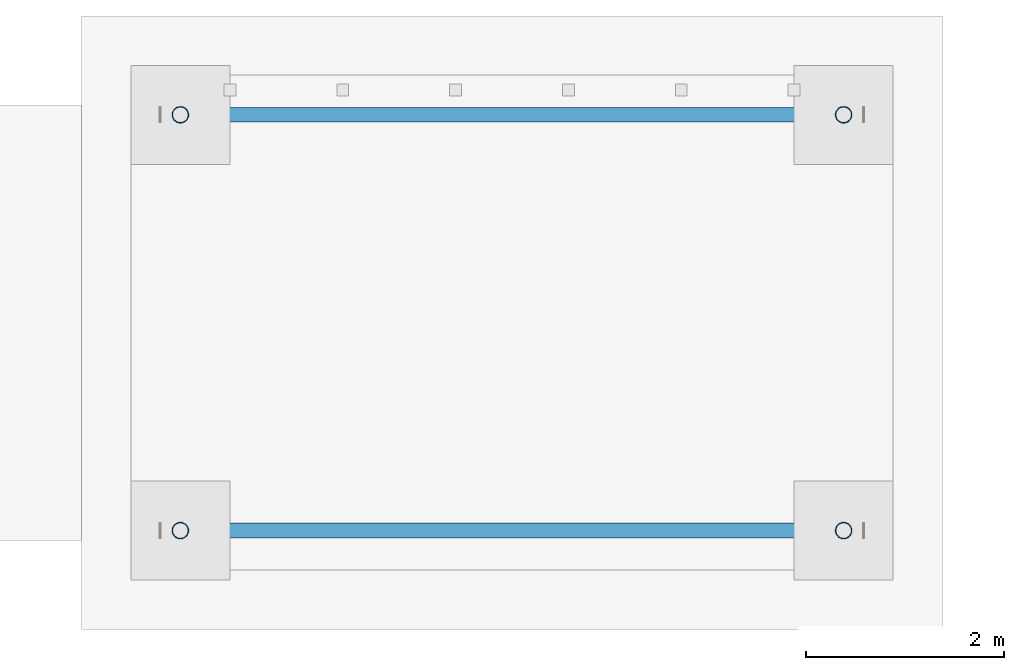
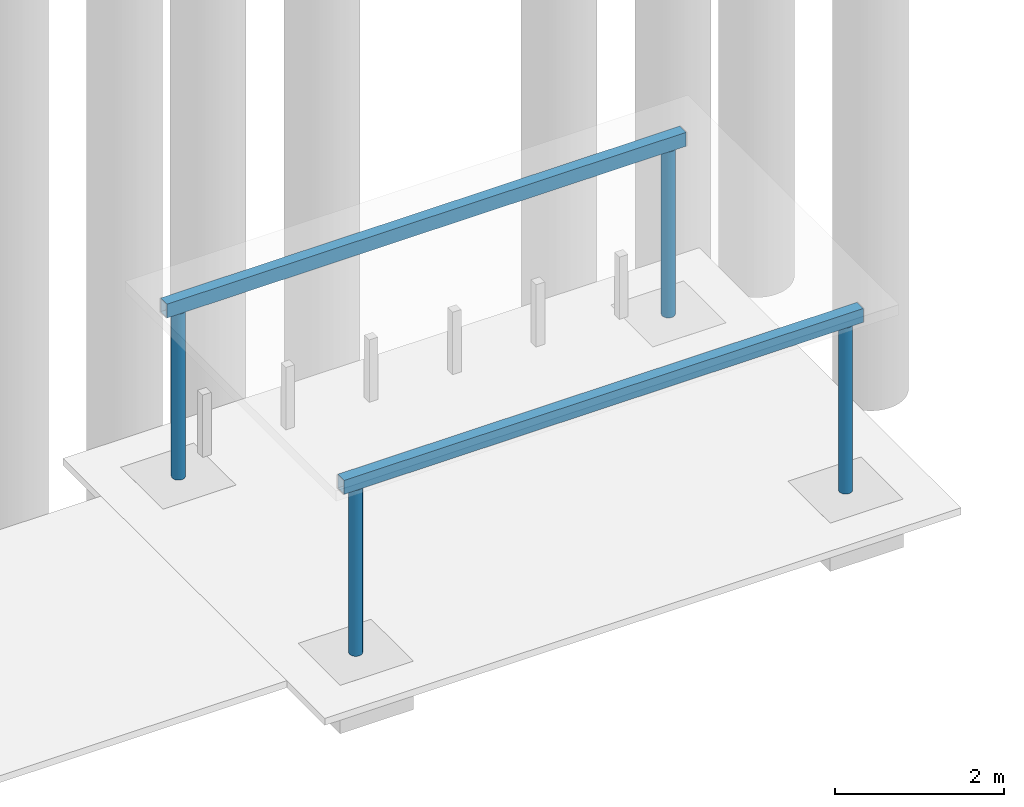
# One storey, part 19 of 99: 6 members.
"""IFC4 building model written with IfcOpenShell, lengths in metres."""

import ifcopenshell
import ifcopenshell.guid

model = None  # the IFC model being written
_history = None  # IfcOwnerHistory: only IFC2X3 demands one
_inside = {}  # id of a spatial element -> (the spatial element, [elements in it])
_under = {}  # id of a project, library or spatial element -> (it, [spatial elements below it])
_declared = {}  # id of a project -> (the project, [libraries it declares])
_typed = {}  # id of a type object -> (the type object, [elements of that type])
_made_of = {}  # id of a material, layer set ... -> (it, [elements and type objects made of it])


def new_model(schema):
    """Start an empty IFC model of exactly this schema.

    Asked for "IFC4X3", IfcOpenShell would pick the latest addendum, in which some entities
    have other attributes; the version numbers below select the first issue.
    IFC2X3 requires an IfcOwnerHistory on every rooted entity: one is made here for all.
    """
    global model, _history
    if schema == "IFC4X3":
        model = ifcopenshell.file(schema_version=(4, 3, 0, 0))
    else:
        model = ifcopenshell.file(schema=schema)
    _inside.clear()
    _under.clear()
    _declared.clear()
    _typed.clear()
    _made_of.clear()
    _history = None
    if model.schema == "IFC2X3":
        org = make("IfcOrganization", Name="unknown")
        user = make(
            "IfcPersonAndOrganization",
            ThePerson=make("IfcPerson", FamilyName="unknown"),
            TheOrganization=org,
        )
        app = make(
            "IfcApplication",
            ApplicationDeveloper=org,
            Version="unknown",
            ApplicationFullName="unknown",
            ApplicationIdentifier="unknown",
        )
        _history = make(
            "IfcOwnerHistory",
            OwningUser=user,
            OwningApplication=app,
            ChangeAction="ADDED",
            CreationDate=0,
        )
    return model


def make(cls, **values):
    """One entity of the class cls with the attributes given. An attribute that is None is left unset."""
    return model.create_entity(
        cls, **{name: value for name, value in values.items() if value is not None}
    )


def rooted(cls, **values):
    """An entity with a GlobalId (a new one), such as an element, a storey or a relation."""
    return make(cls, GlobalId=ifcopenshell.guid.new(), OwnerHistory=_history, **values)


def si_unit(unit_type, name, prefix=None):
    """IfcSIUnit, for example si_unit("LENGTHUNIT", "METRE", prefix="MILLI")."""
    return make("IfcSIUnit", UnitType=unit_type, Prefix=prefix, Name=name)


def assignment(units):
    """IfcUnitAssignment: the units of a project."""
    return None if units is None else make("IfcUnitAssignment", Units=units)


def point(xyz):
    """IfcCartesianPoint."""
    return None if xyz is None else make("IfcCartesianPoint", Coordinates=xyz)


def direction(xyz):
    """IfcDirection."""
    return None if xyz is None else make("IfcDirection", DirectionRatios=xyz)


def frame(location, z_axis=None, x_axis=None):
    """IfcAxis2Placement3D, a coordinate frame: its origin and axes. An axis left out is left unset."""
    return make(
        "IfcAxis2Placement3D",
        Location=point(location),
        Axis=direction(z_axis),
        RefDirection=direction(x_axis),
    )


def frame_2d(location, x_axis=None):
    """IfcAxis2Placement2D, a coordinate frame in the plane: its origin and x axis."""
    return make(
        "IfcAxis2Placement2D", Location=point(location), RefDirection=direction(x_axis)
    )


def origin():
    """The frame at (0, 0, 0) with its axes left unset."""
    return frame((0.0, 0.0, 0.0))


def origin_2d():
    """The frame at (0, 0) in the plane with its x axis left unset."""
    return frame_2d((0.0, 0.0))


def place(relative_to, where):
    """IfcLocalPlacement: puts the frame where relative to a parent placement (None: the world)."""
    return make(
        "IfcLocalPlacement", PlacementRelTo=relative_to, RelativePlacement=where
    )


def context(
    kind, dimensions, precision=None, world=None, true_north=None, identifier=None
):
    """IfcGeometricRepresentationContext, for example the 3D "Model" context."""
    return make(
        "IfcGeometricRepresentationContext",
        ContextIdentifier=identifier,
        ContextType=kind,
        CoordinateSpaceDimension=dimensions,
        Precision=precision,
        WorldCoordinateSystem=world,
        TrueNorth=true_north,
    )


def subcontext(parent, identifier, kind, view, scale=None):
    """IfcGeometricRepresentationSubContext, for example "Body" below "Model"."""
    return make(
        "IfcGeometricRepresentationSubContext",
        ContextIdentifier=identifier,
        ContextType=kind,
        ParentContext=parent,
        TargetScale=scale,
        TargetView=view,
    )


def project(units=None, contexts=None):
    """IfcProject with its units and contexts."""
    return rooted(
        "IfcProject",
        Name="project",
        RepresentationContexts=contexts,
        UnitsInContext=assignment(units),
    )


def spatial(cls, under=None, at=None, **own):
    """A site, building, storey or space (cls), placed at a placement, below another one or the project."""
    s = rooted(cls, ObjectPlacement=at, **own)
    if under is not None:
        _under.setdefault(under.id(), (under, []))[1].append(s)
    return s


def profile(cls, at=None, kind="AREA", **sizes):
    """A parametric profile (cls). Its sizes go by their IFC names, for example OverallWidth=200.0."""
    return make(cls, ProfileType=kind, Position=at, **sizes)


def hollow_rectangle(**sizes):
    """IfcRectangleHollowProfileDef."""
    return profile("IfcRectangleHollowProfileDef", **sizes)


def hollow_circle(**sizes):
    """IfcCircleHollowProfileDef."""
    return profile("IfcCircleHollowProfileDef", **sizes)


def extrude(swept, where, along, depth):
    """IfcExtrudedAreaSolid: the profile swept, set in the frame where, extruded along a direction by depth."""
    return make(
        "IfcExtrudedAreaSolid",
        SweptArea=swept,
        Position=where,
        ExtrudedDirection=direction(along),
        Depth=depth,
    )


def shape(context_of_items, identifier, shape_type, items):
    """IfcShapeRepresentation: the items that make up one representation, for example the "Body"."""
    return make(
        "IfcShapeRepresentation",
        ContextOfItems=context_of_items,
        RepresentationIdentifier=identifier,
        RepresentationType=shape_type,
        Items=items,
    )


def material(Name=None, Category=None):
    """IfcMaterial."""
    return make("IfcMaterial", Name=Name, Category=Category)


def material_profile(
    of_material, cross_section, Name=None, Category=None, Priority=None
):
    """IfcMaterialProfile: a cross section and its material."""
    return make(
        "IfcMaterialProfile",
        Name=Name,
        Material=of_material,
        Profile=cross_section,
        Priority=Priority,
        Category=Category,
    )


def profile_set(profiles, Name=None, composite=None):
    """IfcMaterialProfileSet."""
    return make(
        "IfcMaterialProfileSet",
        Name=Name,
        MaterialProfiles=profiles,
        CompositeProfile=composite,
    )


def made_of(thing, what):
    """Note that an element or type object is made of a material, layer set ...; save() writes the relation."""
    if what is not None:
        _made_of.setdefault(what.id(), (what, []))[1].append(thing)
    return thing


def type_object(cls, material=None, **own):
    """A type object (cls), such as IfcWallType, which elements share."""
    return made_of(rooted(cls, **own), material)


def element(
    cls,
    number,
    at=None,
    inside=None,
    cuts=None,
    type_object=None,
    material=None,
    context=None,
    identifier="Body",
    shape_type=None,
    held_by="IfcProductDefinitionShape",
    body=None,
    shapes=None,
    **own,
):
    """One element of the class cls, such as IfcWall. Its Tag is "e" and its number.

    at: its placement. inside: the storey or other place that contains it. cuts: it is an
    opening in that element (IfcRelVoidsElement). A single representation is given by context,
    identifier, shape_type and body (its items); several are given by shapes. held_by: the class
    of the entity that holds the representations. save() writes the other relations.
    """
    e = rooted(cls, Tag="e%d" % number, ObjectPlacement=at, **own)
    if body is not None:
        shapes = [shape(context, identifier, shape_type, body)]
    if shapes is not None:
        e.Representation = make(held_by, Representations=shapes)
    if inside is not None:
        _inside.setdefault(inside.id(), (inside, []))[1].append(e)
    if cuts is not None:
        rooted(
            "IfcRelVoidsElement", RelatingBuildingElement=cuts, RelatedOpeningElement=e
        )
    if type_object is not None:
        _typed.setdefault(type_object.id(), (type_object, []))[1].append(e)
    return made_of(e, material)


def aggregate(whole, parts):
    """IfcRelAggregates: a whole, such as a stair, and the parts it consists of."""
    return rooted("IfcRelAggregates", RelatingObject=whole, RelatedObjects=parts)


def save(model, path):
    """Write the relations noted so far, then the file.

    IfcRelAggregates (storeys below a building ...), IfcRelContainedInSpatialStructure (elements
    in a storey), IfcRelDefinesByType, IfcRelAssociatesMaterial and IfcRelDeclares: one each for
    every whole, place, type object, material and project.
    """
    for whole, parts in _under.values():
        aggregate(whole, parts)
    for where, things in _inside.values():
        rooted(
            "IfcRelContainedInSpatialStructure",
            RelatedElements=things,
            RelatingStructure=where,
        )
    for kind, things in _typed.values():
        rooted("IfcRelDefinesByType", RelatedObjects=things, RelatingType=kind)
    for what, things in _made_of.values():
        rooted("IfcRelAssociatesMaterial", RelatedObjects=things, RelatingMaterial=what)
    for by, libraries in _declared.values():
        rooted("IfcRelDeclares", RelatingContext=by, RelatedDefinitions=libraries)
    model.write(path)


model = new_model("IFC4")

# Units and contexts
model_context = context("Model", 3, precision=1e-05, world=origin(), true_north=direction((0.0, 1.0)))
body_context = subcontext(model_context, "Body", "Model", "MODEL_VIEW")
ifc_project = project(units=[si_unit("LENGTHUNIT", "METRE"), si_unit("AREAUNIT", "SQUARE_METRE"), si_unit("VOLUMEUNIT", "CUBIC_METRE"), si_unit("PLANEANGLEUNIT", "RADIAN"), si_unit("MASSUNIT", "GRAM", prefix="KILO")], contexts=[model_context])

# Site, building, storey
site_placement = place(None, origin())
site = spatial("IfcSite", under=ifc_project, at=site_placement, CompositionType="ELEMENT")
building_placement = place(site_placement, origin())
building = spatial("IfcBuilding", under=site, at=building_placement, Name="Cour d'Honneur Mobility Palace", CompositionType="ELEMENT")
storey_placement = place(building_placement, origin())
storey = spatial("IfcBuildingStorey", under=building, at=storey_placement, Name="L00", CompositionType="ELEMENT", Elevation=0.0)

# Members
ifc_material_1 = material(Name="Steel S355", Category="steel")
ifc_material_profile_1 = material_profile(ifc_material_1, hollow_rectangle(XDim=0.14990234375, YDim=0.199951171875, WallThickness=0.008056640625, at=origin_2d()), Name="RHS 200x150x8")
ifc_profile_set_1 = profile_set([ifc_material_profile_1], Name="Steel S355")
member_type_1 = type_object("IfcMemberType", Name="Shelter beam RHS 200x150x8", PredefinedType="RAFTER", material=ifc_profile_set_1)
for number, where, z_axis, x_axis, name in (
    (1, (40.199951171875, 15.39990234375, 2.5), (1.0, 0.0, 0.0), (0.0, 1.0, 0.0), "Shelter beam SB-W1"),
    (2, (40.199951171875, 19.60009765625, 2.5), (1.0, 0.0, 0.0), (0.0, 1.0, 0.0), "Shelter beam SB-W2"),
):
    element("IfcMember", number, at=place(storey_placement, frame(where, z_axis=z_axis, x_axis=x_axis)), inside=storey, type_object=member_type_1, Name=name, PredefinedType="RAFTER", context=body_context, shape_type="SweptSolid", body=[
        extrude(hollow_rectangle(XDim=0.14990234375, YDim=0.199951171875, WallThickness=0.008056640625, at=origin_2d()), origin(), (0.0, 0.0, 1.0), 7.10009765625),
    ])
ifc_material_2 = material(Name="Steel S355", Category="steel")
ifc_material_profile_2 = material_profile(ifc_material_2, hollow_circle(Radius=0.084228515625, WallThickness=0.00634765625, at=origin_2d()), Name="CHS 168.3x6.3")
ifc_profile_set_2 = profile_set([ifc_material_profile_2], Name="Steel S355")
member_type_2 = type_object("IfcMemberType", Name="Shelter post CHS 168.3x6.3", PredefinedType="POST", material=ifc_profile_set_2)
for number, where, z_axis, x_axis, name in (
    (3, (40.39990234375, 15.39990234375, 0.0), (0.0, 0.0, 1.0), (1.0, 0.0, 0.0), "Shelter post SM-W1"),
    (4, (40.39990234375, 19.60009765625, 0.0), (0.0, 0.0, 1.0), (1.0, 0.0, 0.0), "Shelter post SM-W2"),
    (5, (47.10009765625, 15.39990234375, 0.0), (0.0, 0.0, 1.0), (1.0, 0.0, 0.0), "Shelter post SM-W3"),
    (6, (47.10009765625, 19.60009765625, 0.0), (0.0, 0.0, 1.0), (1.0, 0.0, 0.0), "Shelter post SM-W4"),
):
    element("IfcMember", number, at=place(storey_placement, frame(where, z_axis=z_axis, x_axis=x_axis)), inside=storey, type_object=member_type_2, Name=name, PredefinedType="POST", context=body_context, shape_type="SweptSolid", body=[
        extrude(hollow_circle(Radius=0.084228515625, WallThickness=0.00634765625, at=origin_2d()), origin(), (0.0, 0.0, 1.0), 2.39990234375),
    ])

save(model, "model.ifc")
